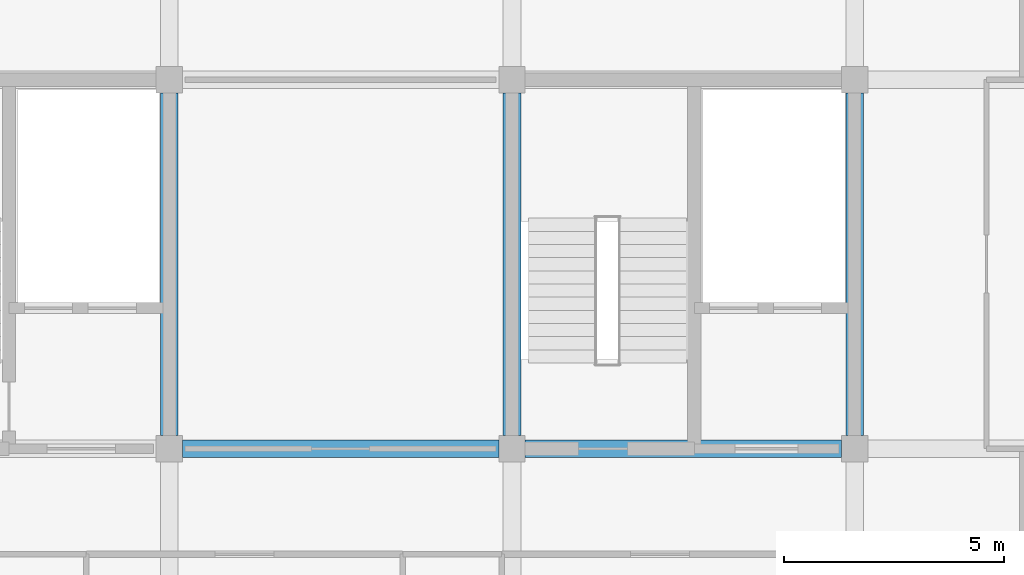
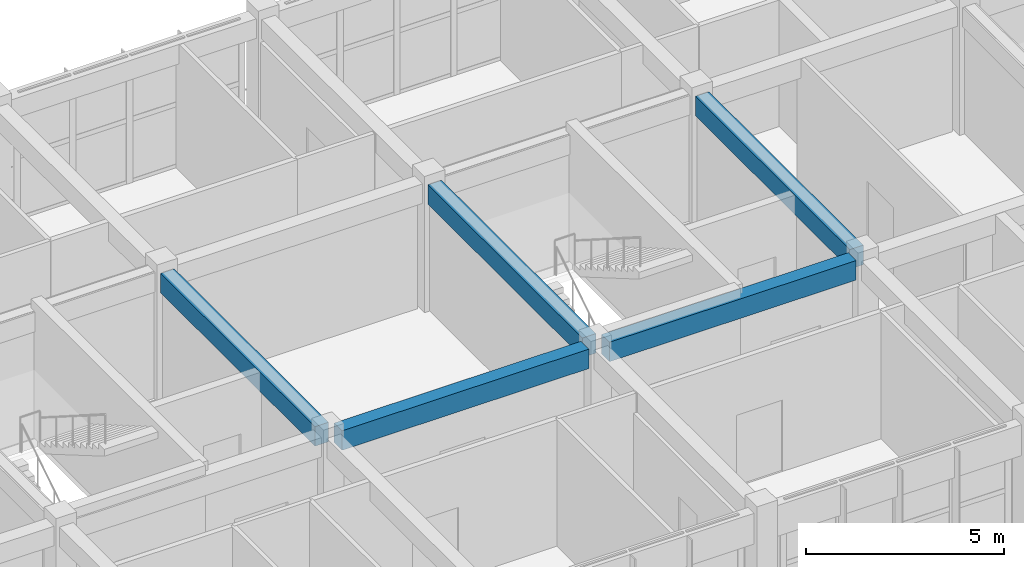
# One storey, part 13 of 50: 5 beams.
"""IFC4 building model written with IfcOpenShell, lengths in metres."""

from ifc_helpers import new_model, si_unit, direction, frame, origin, origin_2d, place, context, subcontext, project, spatial, rectangle, extrude, material, material_profile, profile_set, type_object, element, save


model = new_model("IFC4")

# Units and contexts
model_context = context("Model", 3, precision=1e-05, world=origin(), true_north=direction((0.0, 1.0)))
body_context = subcontext(model_context, "Body", "Model", "MODEL_VIEW")
ifc_project = project(units=[si_unit("LENGTHUNIT", "METRE"), si_unit("AREAUNIT", "SQUARE_METRE"), si_unit("VOLUMEUNIT", "CUBIC_METRE"), si_unit("PLANEANGLEUNIT", "RADIAN"), si_unit("MASSUNIT", "GRAM", prefix="KILO")], contexts=[model_context])

# Site, building, storey
site_placement = place(None, origin())
site = spatial("IfcSite", under=ifc_project, at=site_placement, CompositionType="ELEMENT")
building_placement = place(site_placement, origin())
building = spatial("IfcBuilding", under=site, at=building_placement, Name="Zizhar Promenade General Hospital", CompositionType="ELEMENT")
storey_placement = place(building_placement, frame((0.0, 0.0, 30.60009765625)))
storey = spatial("IfcBuildingStorey", under=building, at=storey_placement, Name="L07", CompositionType="ELEMENT", Elevation=30.60009765625)

# Beams
ifc_material = material(Name="Concrete C35/45", Category="concrete")
ifc_material_profile = material_profile(ifc_material, rectangle(XDim=0.39990234375, YDim=0.60009765625, at=origin_2d()))
ifc_profile_set = profile_set([ifc_material_profile], Name="Concrete C35/45")
beam_type = type_object("IfcBeamType", Name="BM-RC-400x600", PredefinedType="JOIST", material=ifc_profile_set)
beam_1_placement = place(storey_placement, frame((54.89990234375, 8.39990234375, 3.60986328125), z_axis=(1.0, 0.0, 0.0), x_axis=(0.0, 1.0, 0.0)))
element("IfcBeam", 1, at=beam_1_placement, inside=storey, type_object=beam_type, Name="Grid Beam X L07 (7-1)", PredefinedType="JOIST", context=body_context, shape_type="SweptSolid", body=[
    extrude(rectangle(XDim=0.39990234375, YDim=0.60009765625, at=origin_2d()), origin(), (0.0, 0.0, 1.0), 7.2001953125),
])
beam_2_placement = place(storey_placement, frame((54.60009765625, 8.699951171875, 3.60986328125), z_axis=(0.0, 1.0, 0.0), x_axis=(-1.0, 0.0, 0.0)))
element("IfcBeam", 2, at=beam_2_placement, inside=storey, type_object=beam_type, Name="Grid Beam Y L07 (7-1)", PredefinedType="JOIST", context=body_context, shape_type="SweptSolid", body=[
    extrude(rectangle(XDim=0.39990234375, YDim=0.60009765625, at=origin_2d()), origin(), (0.0, 0.0, 1.0), 7.800048828125),
])
beam_3_placement = place(storey_placement, frame((62.699951171875, 8.39990234375, 3.60986328125), z_axis=(1.0, 0.0, 0.0), x_axis=(0.0, 1.0, 0.0)))
element("IfcBeam", 3, at=beam_3_placement, inside=storey, type_object=beam_type, Name="Grid Beam X L07 (8-1)", PredefinedType="JOIST", context=body_context, shape_type="SweptSolid", body=[
    extrude(rectangle(XDim=0.39990234375, YDim=0.60009765625, at=origin_2d()), origin(), (0.0, 0.0, 1.0), 7.199951171875),
])
for number, where, z_axis, x_axis, name in (
    (4, (62.39990234375, 8.699951171875, 3.60986328125), (0.0, 1.0, 0.0), (-1.0, 0.0, 0.0), "Grid Beam Y L07 (8-1)"),
    (5, (70.199951171875, 8.699951171875, 3.60986328125), (0.0, 1.0, 0.0), (-1.0, 0.0, 0.0), "Grid Beam Y L07 (9-1)"),
):
    element("IfcBeam", number, at=place(storey_placement, frame(where, z_axis=z_axis, x_axis=x_axis)), inside=storey, type_object=beam_type, Name=name, PredefinedType="JOIST", context=body_context, shape_type="SweptSolid", body=[
        extrude(rectangle(XDim=0.39990234375, YDim=0.60009765625, at=origin_2d()), origin(), (0.0, 0.0, 1.0), 7.800048828125),
    ])

save(model, "model.ifc")
